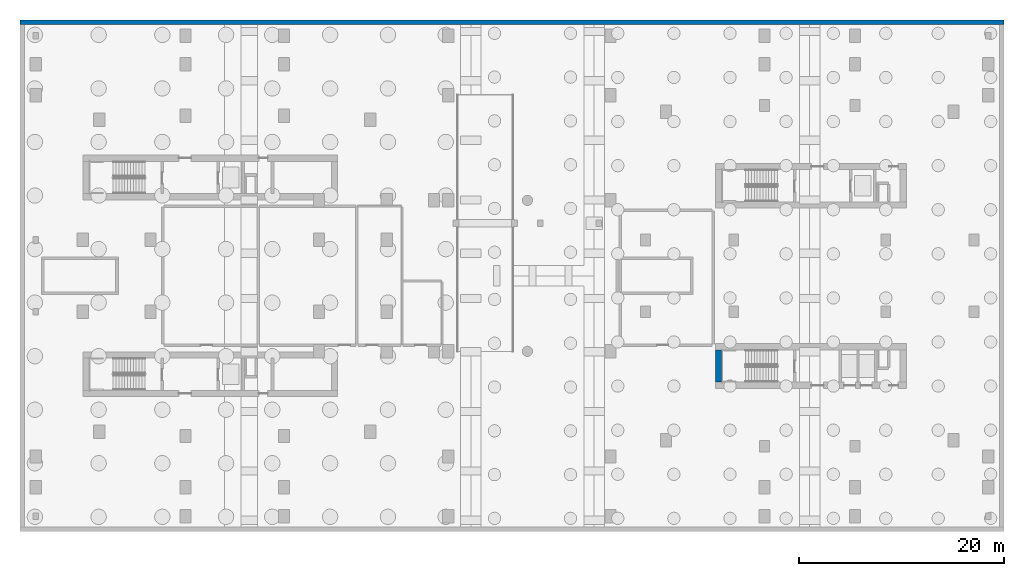
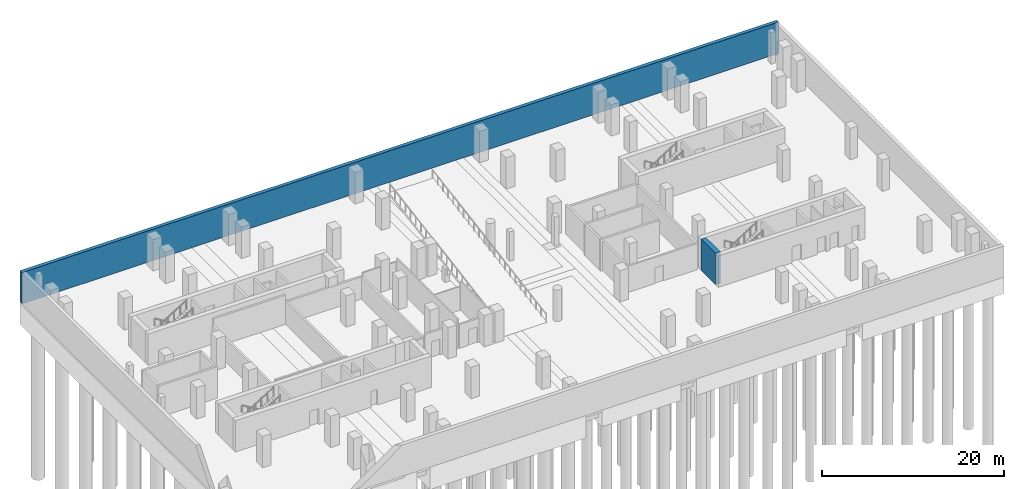
# One storey, part 7 of 14: 2 walls.
"""IFC4 building model written with IfcOpenShell, lengths in metres."""

from ifc_helpers import new_model, si_unit, derived_unit, direction, frame, frame_2d, origin, place, context, subcontext, project, spatial, rectangle, extrude, material, layer, layer_set, type_object, element, save


model = new_model("IFC4")

# Units and contexts
model_context = context("Model", 3, precision=1e-05, world=origin(), true_north=direction((0.0, 1.0)))
body_context = subcontext(model_context, "Body", "Model", "MODEL_VIEW")
ifc_project = project(units=[si_unit("LENGTHUNIT", "METRE"), si_unit("AREAUNIT", "SQUARE_METRE"), si_unit("VOLUMEUNIT", "CUBIC_METRE"), si_unit("PLANEANGLEUNIT", "RADIAN"), si_unit("MASSUNIT", "GRAM", prefix="KILO"), derived_unit("THERMALTRANSMITTANCEUNIT", [(si_unit("POWERUNIT", "WATT"), 1), (si_unit("LENGTHUNIT", "METRE"), -2), (si_unit("THERMODYNAMICTEMPERATUREUNIT", "KELVIN"), -1)])], contexts=[model_context])

# Site, building, storey
site_placement = place(None, origin())
site = spatial("IfcSite", under=ifc_project, at=site_placement, CompositionType="ELEMENT")
building_placement = place(site_placement, origin())
building = spatial("IfcBuilding", under=site, at=building_placement, Name="Kivonza Crest Hotel", CompositionType="ELEMENT")
storey_placement = place(building_placement, frame((0.0, 0.0, -8.39990234375)))
storey = spatial("IfcBuildingStorey", under=building, at=storey_placement, Name="B2", CompositionType="ELEMENT", Elevation=-8.39990234375)

# Walls
ifc_material_1 = material(Name="Concrete C60/75", Category="concrete")
ifc_layer_1 = layer(ifc_material_1, 0.60009765625)
ifc_layer_set_1 = layer_set([ifc_layer_1], Name="Concrete C60/75")
wall_type_1 = type_object("IfcWallType", Name="WL-CORE-600", PredefinedType="SHEAR", material=ifc_layer_set_1)
wall_1_placement = place(storey_placement, frame((68.10009765625, 14.639892578125, 0.0), z_axis=(0.0, 0.0, 1.0), x_axis=(0.0, 1.0, 0.0)))
element("IfcWall", 1, at=wall_1_placement, inside=storey, type_object=wall_type_1, Name="Core wall T2-S West B2", PredefinedType="SHEAR", context=body_context, shape_type="SweptSolid", body=[
    extrude(rectangle(XDim=3.16015625, YDim=0.60009765625, at=frame_2d((1.580078125, 0.0))), origin(), (0.0, 0.0, 1.0), 4.199951171875),
])
ifc_material_2 = material(Name="Concrete C40/50", Category="concrete")
ifc_layer_2 = layer(ifc_material_2, 0.449951171875)
ifc_layer_set_2 = layer_set([ifc_layer_2], Name="Concrete C40/50")
wall_type_2 = type_object("IfcWallType", Name="WL-RET-450", PredefinedType="USERDEFINED", material=ifc_layer_set_2)
wall_2_placement = place(storey_placement, frame((95.919921875, 49.695068359375, 0.0), z_axis=(0.0, 0.0, 1.0), x_axis=(-1.0, 0.0, 0.0)))
element("IfcWall", 2, at=wall_2_placement, inside=storey, type_object=wall_type_2, Name="B2 North basement retaining wall", ObjectType="RETAININGWALL", PredefinedType="USERDEFINED", context=body_context, shape_type="SweptSolid", body=[
    extrude(rectangle(XDim=95.83984375, YDim=0.449951171875, at=frame_2d((47.919921875, 0.0))), origin(), (0.0, 0.0, 1.0), 4.199951171875),
])

save(model, "model.ifc")
